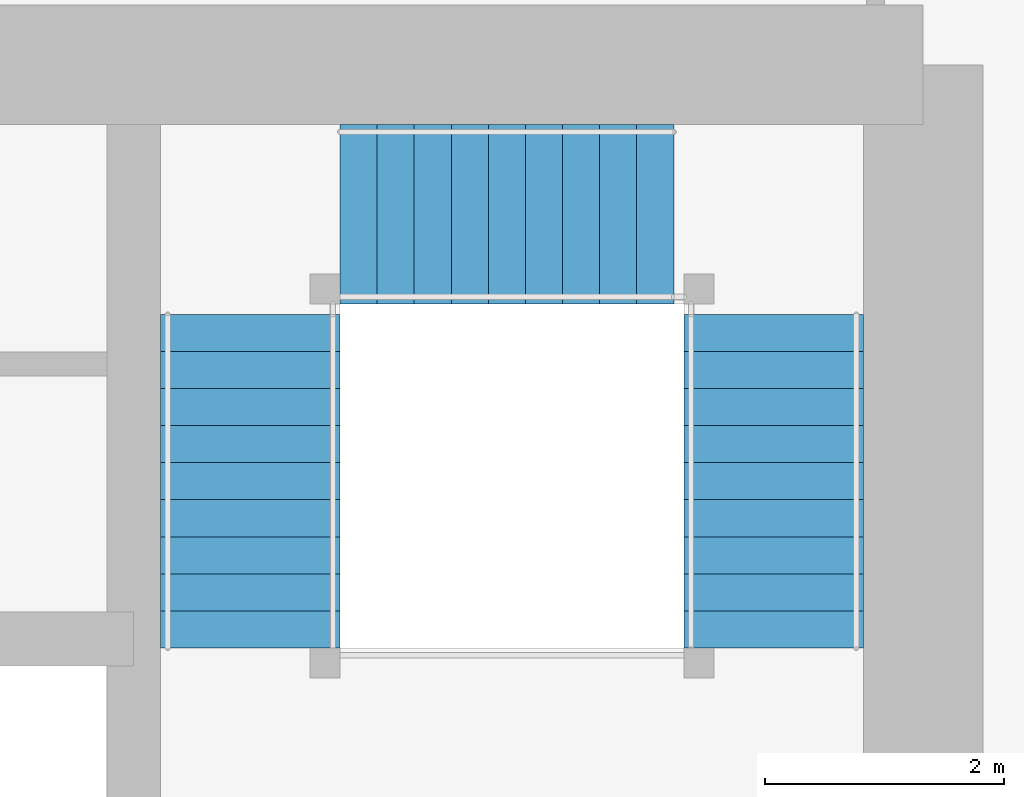
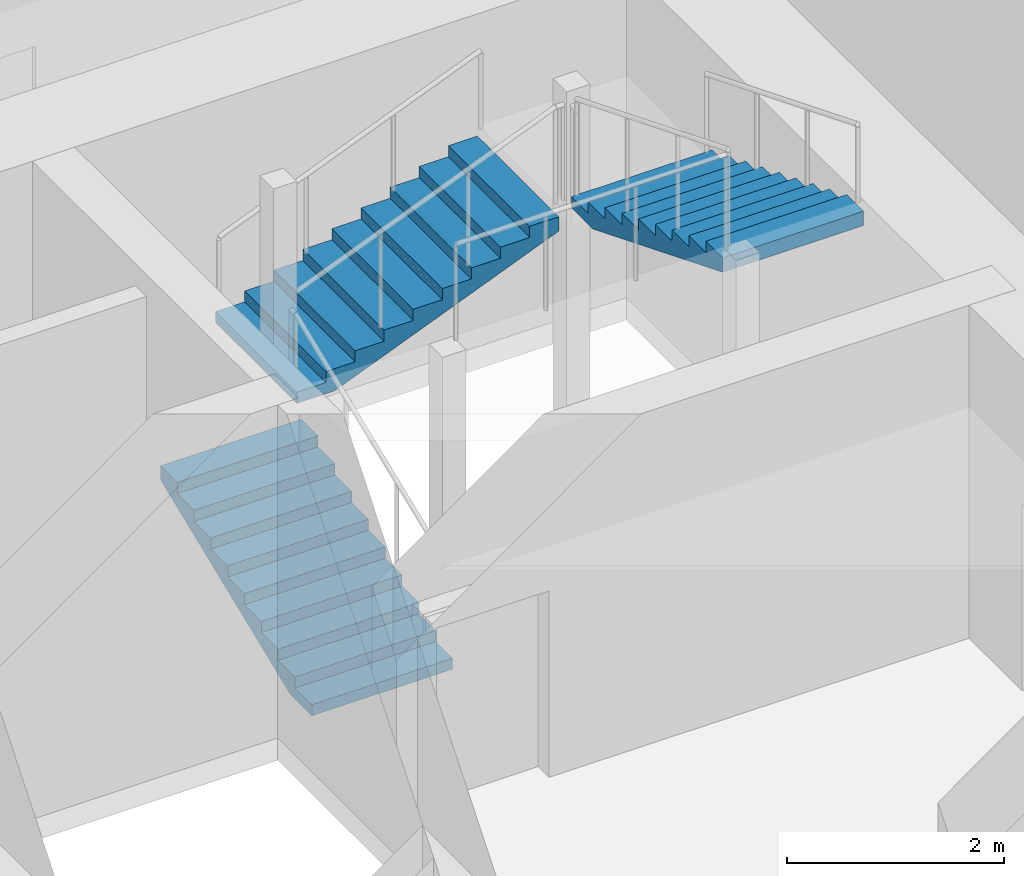
# One storey, part 32 of 40: 3 stair flights, 1 element without a shape of its own.
"""IFC4 building model written with IfcOpenShell, lengths in metres."""

from ifc_helpers import new_model, si_unit, direction, frame, origin, place, context, subcontext, project, spatial, polyline, outline, extrude, material, type_object, element, aggregate, save


model = new_model("IFC4")

# Units and contexts
model_context = context("Model", 3, precision=1e-05, world=origin(), true_north=direction((0.0, 1.0)))
body_context = subcontext(model_context, "Body", "Model", "MODEL_VIEW")
ifc_project = project(units=[si_unit("LENGTHUNIT", "METRE"), si_unit("AREAUNIT", "SQUARE_METRE"), si_unit("VOLUMEUNIT", "CUBIC_METRE"), si_unit("PLANEANGLEUNIT", "RADIAN"), si_unit("MASSUNIT", "GRAM", prefix="KILO")], contexts=[model_context])

# Site, building, storey
site_placement = place(None, origin())
site = spatial("IfcSite", under=ifc_project, at=site_placement, CompositionType="ELEMENT")
building_placement = place(site_placement, origin())
building = spatial("IfcBuilding", under=site, at=building_placement, Name="Rekha Terrace Tower", CompositionType="ELEMENT")
storey_placement = place(building_placement, frame((0.0, 0.0, 99.050048828125)))
storey = spatial("IfcBuildingStorey", under=building, at=storey_placement, Name="L24", CompositionType="ELEMENT", Elevation=99.050048828125)

# Stair, stair flights
ifc_material = material(Name="Concrete M40", Category="concrete")
stair_type = type_object("IfcStairType", Name="ST30 stair, 30 risers of 125, going 310, 1500 wide flights, 3 flights", PredefinedType="HALF_TURN_STAIR", material=ifc_material)
stair_placement = place(storey_placement, origin())
stair = element("IfcStair", 1, at=stair_placement, inside=storey, type_object=stair_type, Name="Stair ST2 L24 to L25", PredefinedType="HALF_TURN_STAIR")
stair_flight_type = type_object("IfcStairFlightType", Name="SF10 stair flight, 10 risers of 125, going 310, 1500 wide", PredefinedType="STRAIGHT", material=ifc_material)
stair_flight_1_placement = place(storey_placement, frame((44.77490234375, 41.324951171875, 0.0), z_axis=(0.0, 0.0, 1.0), x_axis=(0.0, 1.0, 0.0)))
stair_flight_1 = element("IfcStairFlight", 2, at=stair_flight_1_placement, type_object=stair_flight_type, Name="ST2 flight 1", NumberOfRisers=10, NumberOfTreads=9, PredefinedType="STRAIGHT", RiserHeight=0.125, TreadLength=0.31, context=body_context, shape_type="SweptSolid", body=[
    extrude(outline(polyline([(0.0, 0.0), (0.0, 0.125), (0.31005859375, 0.125), (0.31005859375, 0.25), (0.6201171875, 0.25), (0.6201171875, 0.375), (0.929931640625, 0.375), (0.929931640625, 0.5), (1.239990234375, 0.5), (1.239990234375, 0.625), (1.550048828125, 0.625), (1.550048828125, 0.75), (1.860107421875, 0.75), (1.860107421875, 0.875), (2.169921875, 0.875), (2.169921875, 1.0), (2.47998046875, 1.0), (2.47998046875, 1.125), (2.7900390625, 1.125), (2.7900390625, 1.25), (2.7900390625, 0.96337890625), (0.40087890625, 0.0), (0.0, 0.0)])), frame((0.0, 0.75, 0.0), z_axis=(0.0, -1.0, 0.0), x_axis=(1.0, 0.0, 0.0)), (0.0, 0.0, 1.0), 1.5),
])
stair_flight_2_placement = place(storey_placement, frame((45.52490234375, 44.949951171875, 1.25), z_axis=(0.0, 0.0, 1.0), x_axis=(1.0, 0.0, 0.0)))
stair_flight_2 = element("IfcStairFlight", 3, at=stair_flight_2_placement, type_object=stair_flight_type, Name="ST2 flight 2", NumberOfRisers=10, NumberOfTreads=9, PredefinedType="STRAIGHT", RiserHeight=0.125, TreadLength=0.31, context=body_context, shape_type="SweptSolid", body=[
    extrude(outline(polyline([(0.0, 0.0), (0.0, 0.125), (0.31005859375, 0.125), (0.31005859375, 0.25), (0.6201171875, 0.25), (0.6201171875, 0.375), (0.929931640625, 0.375), (0.929931640625, 0.5), (1.239990234375, 0.5), (1.239990234375, 0.625), (1.550048828125, 0.625), (1.550048828125, 0.75), (1.860107421875, 0.75), (1.860107421875, 0.875), (2.169921875, 0.875), (2.169921875, 1.0), (2.47998046875, 1.0), (2.47998046875, 1.125), (2.7900390625, 1.125), (2.7900390625, 1.25), (2.7900390625, 0.96337890625), (0.40087890625, 0.0), (0.0, 0.0)])), frame((0.0, 0.75, 0.0), z_axis=(0.0, -1.0, 0.0), x_axis=(1.0, 0.0, 0.0)), (0.0, 0.0, 1.0), 1.5),
])
stair_flight_3_placement = place(storey_placement, frame((49.14990234375, 44.114990234375, 2.5), z_axis=(0.0, 0.0, 1.0), x_axis=(0.0, -1.0, 0.0)))
stair_flight_3 = element("IfcStairFlight", 4, at=stair_flight_3_placement, type_object=stair_flight_type, Name="ST2 flight 3", NumberOfRisers=10, NumberOfTreads=9, PredefinedType="STRAIGHT", RiserHeight=0.125, TreadLength=0.31, context=body_context, shape_type="SweptSolid", body=[
    extrude(outline(polyline([(0.0, 0.0), (0.0, 0.125), (0.31005859375, 0.125), (0.31005859375, 0.25), (0.6201171875, 0.25), (0.6201171875, 0.375), (0.929931640625, 0.375), (0.929931640625, 0.5), (1.239990234375, 0.5), (1.239990234375, 0.625), (1.550048828125, 0.625), (1.550048828125, 0.75), (1.860107421875, 0.75), (1.860107421875, 0.875), (2.169921875, 0.875), (2.169921875, 1.0), (2.47998046875, 1.0), (2.47998046875, 1.125), (2.7900390625, 1.125), (2.7900390625, 1.25), (2.7900390625, 0.96337890625), (0.40087890625, 0.0), (0.0, 0.0)])), frame((0.0, 0.75, 0.0), z_axis=(0.0, -1.0, 0.0), x_axis=(1.0, 0.0, 0.0)), (0.0, 0.0, 1.0), 1.5),
])
aggregate(stair, [stair_flight_1, stair_flight_2, stair_flight_3])

save(model, "model.ifc")
